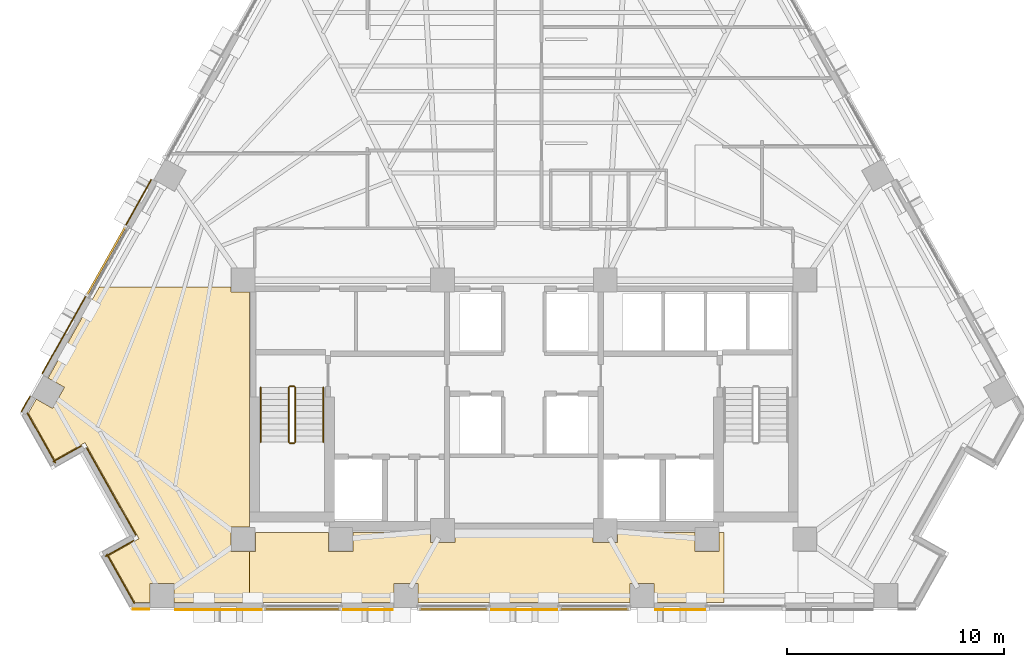
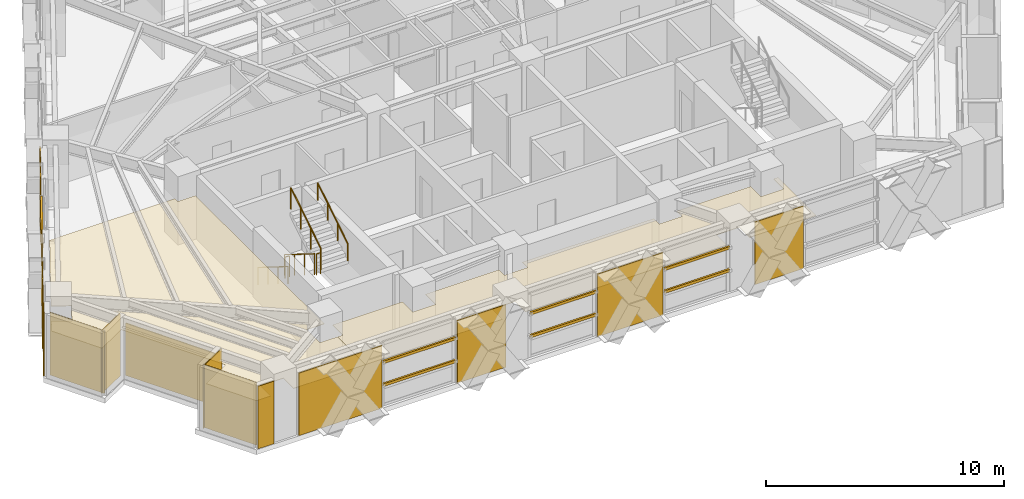
# One storey, part 11 of 14: 15 coverings, 8 shading devices, 6 railings.
"""IFC4 building model written with IfcOpenShell, lengths in metres."""

from ifc_helpers import new_model, si_unit, direction, frame, origin, origin_2d, place, context, subcontext, project, spatial, polyline, rectangle, circle, outline, extrude, material, layer, layer_set, material_profile, profile_set, type_object, element, save


model = new_model("IFC4")

# Units and contexts
model_context = context("Model", 3, precision=1e-05, world=origin(), true_north=direction((0.0, 1.0)))
body_context = subcontext(model_context, "Body", "Model", "MODEL_VIEW")
ifc_project = project(units=[si_unit("LENGTHUNIT", "METRE"), si_unit("AREAUNIT", "SQUARE_METRE"), si_unit("VOLUMEUNIT", "CUBIC_METRE"), si_unit("PLANEANGLEUNIT", "RADIAN"), si_unit("MASSUNIT", "GRAM", prefix="KILO")], contexts=[model_context])

# Site, building, storey
site_placement = place(None, origin())
site = spatial("IfcSite", under=ifc_project, at=site_placement, CompositionType="ELEMENT")
building_placement = place(site_placement, origin())
building = spatial("IfcBuilding", under=site, at=building_placement, Name="Quenlor Broadcast Tower", CompositionType="ELEMENT")
storey_placement = place(building_placement, frame((0.0, 0.0, 102.0)))
storey = spatial("IfcBuildingStorey", under=building, at=storey_placement, Name="L27", CompositionType="ELEMENT", Elevation=102.0)

# Coverings
ifc_material_1 = material(Name="Acoustic Mineral Fibre Board", Category="other")
ifc_layer_1 = layer(ifc_material_1, 0.02490234375)
ifc_layer_set_1 = layer_set([ifc_layer_1], Name="Acoustic Perforated Mineral Tile Ceiling 25")
covering_type_1 = type_object("IfcCoveringType", Name="Acoustic Perforated Mineral Tile Ceiling 25", PredefinedType="CEILING", material=ifc_layer_set_1)
covering_1_placement = place(storey_placement, frame((0.0, 0.0, 2.22509765625)))
element("IfcCovering", 1, at=covering_1_placement, inside=storey, type_object=covering_type_1, Name="L27 Acoustic Ceiling L27-35-2", PredefinedType="CEILING", context=body_context, shape_type="SweptSolid", body=[
    extrude(outline(polyline([(-22.85693359375, -10.927978515625), (-22.49853515625, -10.290771484375), (-21.741943359375, -10.71630859375), (-21.19482421875, -9.74365234375), (-21.951416015625, -9.318115234375), (-19.58984375, -5.1201171875), (-13.508056640625, -5.1201171875), (-13.508056640625, -5.35791015625), (-12.64990234375, -5.35791015625), (-12.64990234375, -16.19189453125), (-13.508056640625, -16.19189453125), (-13.508056640625, -17.30810546875), (-12.64990234375, -17.30810546875), (-12.64990234375, -19.659912109375), (-16.134521484375, -19.659912109375), (-16.134521484375, -18.7919921875), (-17.25048828125, -18.7919921875), (-17.25048828125, -19.659912109375), (-17.9453125, -19.659912109375), (-19.15380859375, -17.510986328125), (-17.759521484375, -16.7265625), (-20.25, -12.299072265625), (-21.64453125, -13.08349609375), (-22.85693359375, -10.927978515625)])), origin(), (0.0, 0.0, 1.0), 0.02490234375),
])
covering_2_placement = place(storey_placement, frame((0.0, 0.0, 2.22509765625)))
element("IfcCovering", 2, at=covering_2_placement, inside=storey, type_object=covering_type_1, Name="L27 Acoustic Ceiling L27-35-3", PredefinedType="CEILING", context=body_context, shape_type="SweptSolid", body=[
    extrude(outline(polyline([(-12.39208984375, -17.30810546875), (-12.39208984375, -16.449951171875), (-9.008056640625, -16.449951171875), (-9.008056640625, -17.30810546875), (-7.89208984375, -17.30810546875), (-7.89208984375, -16.449951171875), (-4.30810546875, -16.449951171875), (-4.30810546875, -16.907958984375), (-3.19189453125, -16.907958984375), (-3.19189453125, -16.449951171875), (3.19189453125, -16.449951171875), (3.19189453125, -16.907958984375), (4.30810546875, -16.907958984375), (4.30810546875, -16.449951171875), (7.89208984375, -16.449951171875), (7.89208984375, -17.30810546875), (9.008056640625, -17.30810546875), (9.008056640625, -16.449951171875), (9.221923828125, -16.449951171875), (9.221923828125, -19.659912109375), (6.001220703125, -19.659912109375), (6.001220703125, -18.7919921875), (4.88525390625, -18.7919921875), (4.88525390625, -19.659912109375), (-4.88525390625, -19.659912109375), (-4.88525390625, -18.7919921875), (-6.001220703125, -18.7919921875), (-6.001220703125, -19.659912109375), (-12.64990234375, -19.659912109375), (-12.64990234375, -17.30810546875), (-12.39208984375, -17.30810546875)])), origin(), (0.0, 0.0, 1.0), 0.02490234375),
])

# Shading devices
ifc_material_2 = material(Name="Architectural Terracotta Ceramic", Category="masonry")
ifc_material_profile = material_profile(ifc_material_2, rectangle(XDim=0.090087890625, YDim=0.139892578125, at=origin_2d()))
ifc_profile_set = profile_set([ifc_material_profile], Name="Architectural Terracotta Ceramic BAG90x140")
shading_device_type = type_object("IfcShadingDeviceType", Name="Copper Terracotta Baguette Solar Screen 140", PredefinedType="USERDEFINED", material=ifc_profile_set)
for number, where, z_axis, x_axis, name in (
    (3, (-8.47119140625, -19.972900390625, 1.169921875), (-1.0, 0.0, 0.0), (0.0, -1.0, 0.0), "L27 Terracotta Baguette Screen 1"),
    (4, (-8.47119140625, -19.972900390625, 2.340087890625), (-1.0, 0.0, 0.0), (0.0, -1.0, 0.0), "L27 Terracotta Baguette Screen 2"),
):
    element("IfcShadingDevice", number, at=place(storey_placement, frame(where, z_axis=z_axis, x_axis=x_axis)), inside=storey, type_object=shading_device_type, Name=name, ObjectType="BAGUETTE", PredefinedType="USERDEFINED", context=body_context, shape_type="SweptSolid", body=[
        extrude(rectangle(XDim=0.090087890625, YDim=0.139892578125, at=origin_2d()), origin(), (0.0, 0.0, 1.0), 3.510498046875),
    ])
for number, where, z_axis, x_axis, name in (
    (5, (4.835693359375, -19.972900390625, 1.169921875), (-1.0, 0.0, 0.0), (0.0, -1.0, 0.0), "L27 Terracotta Baguette Screen 1"),
    (6, (4.835693359375, -19.972900390625, 2.340087890625), (-1.0, 0.0, 0.0), (0.0, -1.0, 0.0), "L27 Terracotta Baguette Screen 2"),
    (7, (-1.653564453125, -19.972900390625, 1.169921875), (-1.0, 0.0, 0.0), (0.0, -1.0, 0.0), "L27 Terracotta Baguette Screen 1"),
    (8, (-1.653564453125, -19.972900390625, 2.340087890625), (-1.0, 0.0, 0.0), (0.0, -1.0, 0.0), "L27 Terracotta Baguette Screen 2"),
):
    element("IfcShadingDevice", number, at=place(storey_placement, frame(where, z_axis=z_axis, x_axis=x_axis)), inside=storey, type_object=shading_device_type, Name=name, ObjectType="BAGUETTE", PredefinedType="USERDEFINED", context=body_context, shape_type="SweptSolid", body=[
        extrude(rectangle(XDim=0.090087890625, YDim=0.139892578125, at=origin_2d()), origin(), (0.0, 0.0, 1.0), 3.18212890625),
    ])
for number, where, z_axis, x_axis, name in (
    (9, (-20.156005859375, -5.48779296875, 1.169921875), (0.490344725936, 0.871528570815, 0.0), (-0.871528570815, 0.490344725936, 0.0), "L27 Terracotta Baguette Screen 1"),
    (10, (-20.156005859375, -5.48779296875, 2.340087890625), (0.490344725936, 0.871528570815, 0.0), (-0.871528570815, 0.490344725936, 0.0), "L27 Terracotta Baguette Screen 2"),
):
    element("IfcShadingDevice", number, at=place(storey_placement, frame(where, z_axis=z_axis, x_axis=x_axis)), inside=storey, type_object=shading_device_type, Name=name, ObjectType="BAGUETTE", PredefinedType="USERDEFINED", context=body_context, shape_type="SweptSolid", body=[
        extrude(rectangle(XDim=0.090087890625, YDim=0.139892578125, at=origin_2d()), origin(), (0.0, 0.0, 1.0), 3.60986328125),
    ])

# Coverings
ifc_material_3 = material(Name="Architectural Terracotta Ceramic", Category="masonry")
ifc_layer_2 = layer(ifc_material_3, 0.044921875)
ifc_layer_set_2 = layer_set([ifc_layer_2], Name="Fluted Terracotta Rainscreen Cladding Panel")
covering_type_2 = type_object("IfcCoveringType", Name="Fluted Terracotta Rainscreen Cladding Panel", PredefinedType="CLADDING", material=ifc_layer_set_2)
covering_3_placement = place(storey_placement, frame((0.0, 0.0, 0.02001953125)))
element("IfcCovering", 11, at=covering_3_placement, inside=storey, type_object=covering_type_2, Name="L27 Terracotta Rainscreen Cladding L27-SHD-SS1", PredefinedType="CLADDING", context=body_context, shape_type="SweptSolid", body=[
    extrude(outline(polyline([(-17.277587890625, -19.951904296875), (-18.053955078125, -19.951904296875), (-18.053955078125, -19.9970703125), (-17.277587890625, -19.9970703125), (-17.277587890625, -19.951904296875)])), origin(), (0.0, 0.0, 1.0), 3.2099609375),
])
covering_4_placement = place(storey_placement, frame((0.0, 0.0, 0.02001953125)))
element("IfcCovering", 12, at=covering_4_placement, inside=storey, type_object=covering_type_2, Name="L27 Terracotta Rainscreen Cladding L27-SA-SP2", PredefinedType="CLADDING", context=body_context, shape_type="SweptSolid", body=[
    extrude(outline(polyline([(8.403564453125, -19.971923828125), (6.048095703125, -19.971923828125), (6.048095703125, -20.01708984375), (8.403564453125, -20.01708984375), (8.403564453125, -19.971923828125)])), origin(), (0.0, 0.0, 1.0), 3.2099609375),
])
covering_5_placement = place(storey_placement, frame((0.0, 0.0, 0.02001953125)))
element("IfcCovering", 13, at=covering_5_placement, inside=storey, type_object=covering_type_2, Name="L27 Terracotta Rainscreen Cladding L27-SC-SP1", PredefinedType="CLADDING", context=body_context, shape_type="SweptSolid", body=[
    extrude(outline(polyline([(-6.048095703125, -19.971923828125), (-8.403564453125, -19.971923828125), (-8.403564453125, -20.01708984375), (-6.048095703125, -20.01708984375), (-6.048095703125, -19.971923828125)])), origin(), (0.0, 0.0, 1.0), 3.2099609375),
])
covering_6_placement = place(storey_placement, frame((0.0, 0.0, 0.02001953125)))
element("IfcCovering", 14, at=covering_6_placement, inside=storey, type_object=covering_type_2, Name="L27 Terracotta Rainscreen Cladding L27-SC-SP2", PredefinedType="CLADDING", context=body_context, shape_type="SweptSolid", body=[
    extrude(outline(polyline([(-12.04931640625, -19.971923828125), (-16.08740234375, -19.971923828125), (-16.08740234375, -20.01708984375), (-12.04931640625, -20.01708984375), (-12.04931640625, -19.971923828125)])), origin(), (0.0, 0.0, 1.0), 3.2099609375),
])
covering_7_placement = place(storey_placement, frame((0.0, 0.0, 0.02001953125)))
element("IfcCovering", 15, at=covering_7_placement, inside=storey, type_object=covering_type_2, Name="L27 Terracotta Rainscreen Cladding L27-S-SP1", PredefinedType="CLADDING", context=body_context, shape_type="SweptSolid", body=[
    extrude(outline(polyline([(1.5859375, -19.971923828125), (-1.5859375, -19.971923828125), (-1.5859375, -20.01708984375), (1.5859375, -20.01708984375), (1.5859375, -19.971923828125)])), origin(), (0.0, 0.0, 1.0), 3.2099609375),
])
covering_8_placement = place(storey_placement, frame((0.0, 0.0, 0.02001953125)))
element("IfcCovering", 16, at=covering_8_placement, inside=storey, type_object=covering_type_2, Name="L27 Terracotta Rainscreen Cladding L27-SHD-NWS0", PredefinedType="CLADDING", context=body_context, shape_type="SweptSolid", body=[
    extrude(outline(polyline([(-23.160888671875, -10.873046875), (-22.76611328125, -10.171142578125), (-22.805419921875, -10.149169921875), (-23.2001953125, -10.85107421875), (-23.160888671875, -10.873046875)])), origin(), (0.0, 0.0, 1.0), 3.2099609375),
])
covering_9_placement = place(storey_placement, frame((0.0, 0.0, 0.02001953125)))
element("IfcCovering", 17, at=covering_9_placement, inside=storey, type_object=covering_type_2, Name="L27 Terracotta Rainscreen Cladding L27-NWA-SP1", PredefinedType="CLADDING", context=body_context, shape_type="SweptSolid", body=[
    extrude(outline(polyline([(-22.2001953125, -9.1240234375), (-20.188232421875, -5.547119140625), (-20.227294921875, -5.525146484375), (-22.239501953125, -9.10205078125), (-22.2001953125, -9.1240234375)])), origin(), (0.0, 0.0, 1.0), 3.2099609375),
])
covering_10_placement = place(storey_placement, frame((0.0, 0.0, 0.02001953125)))
element("IfcCovering", 18, at=covering_10_placement, inside=storey, type_object=covering_type_2, Name="L27 Terracotta Rainscreen Cladding L27-NWA-SP2", PredefinedType="CLADDING", context=body_context, shape_type="SweptSolid", body=[
    extrude(outline(polyline([(-18.35205078125, -2.283203125), (-17.168701171875, -0.179443359375), (-17.2080078125, -0.157470703125), (-18.391357421875, -2.26123046875), (-18.35205078125, -2.283203125)])), origin(), (0.0, 0.0, 1.0), 3.2099609375),
])
covering_11_placement = place(storey_placement, frame((0.0, 0.0, 0.02001953125)))
element("IfcCovering", 19, at=covering_11_placement, inside=storey, type_object=covering_type_2, Name="L27 Terracotta Rainscreen Cladding L27-CNR-12", PredefinedType="CLADDING", context=body_context, shape_type="SweptSolid", body=[
    extrude(outline(polyline([(-22.931396484375, -10.93408203125), (-21.630126953125, -13.24755859375), (-21.591064453125, -13.2255859375), (-22.892333984375, -10.912109375), (-22.931396484375, -10.93408203125)])), origin(), (0.0, 0.0, 1.0), 3.2099609375),
])
covering_12_placement = place(storey_placement, frame((0.0, 0.0, 0.02001953125)))
element("IfcCovering", 20, at=covering_12_placement, inside=storey, type_object=covering_type_2, Name="L27 Terracotta Rainscreen Cladding L27-CNR-13", PredefinedType="CLADDING", context=body_context, shape_type="SweptSolid", body=[
    extrude(outline(polyline([(-21.70703125, -13.19677734375), (-20.399658203125, -12.461181640625), (-20.421630859375, -12.422119140625), (-21.72900390625, -13.157470703125), (-21.70703125, -13.19677734375)])), origin(), (0.0, 0.0, 1.0), 3.2099609375),
])
covering_13_placement = place(storey_placement, frame((0.0, 0.0, 0.02001953125)))
element("IfcCovering", 21, at=covering_13_placement, inside=storey, type_object=covering_type_2, Name="L27 Terracotta Rainscreen Cladding L27-CNR-14", PredefinedType="CLADDING", context=body_context, shape_type="SweptSolid", body=[
    extrude(outline(polyline([(-20.186767578125, -12.55029296875), (-17.921630859375, -16.576904296875), (-17.88232421875, -16.554931640625), (-20.1474609375, -12.5283203125), (-20.186767578125, -12.55029296875)])), origin(), (0.0, 0.0, 1.0), 2.681884765625),
])
covering_14_placement = place(storey_placement, frame((0.0, 0.0, 0.02001953125)))
element("IfcCovering", 22, at=covering_14_placement, inside=storey, type_object=covering_type_2, Name="L27 Terracotta Rainscreen Cladding L27-CNR-15", PredefinedType="CLADDING", context=body_context, shape_type="SweptSolid", body=[
    extrude(outline(polyline([(-18.010498046875, -16.789794921875), (-19.31787109375, -17.525390625), (-19.2958984375, -17.564697265625), (-17.988525390625, -16.8291015625), (-18.010498046875, -16.789794921875)])), origin(), (0.0, 0.0, 1.0), 3.2099609375),
])
covering_15_placement = place(storey_placement, frame((0.0, 0.0, 0.02001953125)))
element("IfcCovering", 23, at=covering_15_placement, inside=storey, type_object=covering_type_2, Name="L27 Terracotta Rainscreen Cladding L27-CNR-16", PredefinedType="CLADDING", context=body_context, shape_type="SweptSolid", body=[
    extrude(outline(polyline([(-19.26708984375, -17.448486328125), (-17.987060546875, -19.72412109375), (-17.947998046875, -19.7021484375), (-19.227783203125, -17.426513671875), (-19.26708984375, -17.448486328125)])), origin(), (0.0, 0.0, 1.0), 3.2099609375),
])

# Railings
ifc_material_4 = material(Name="Anodised Aluminium", Category="aluminium")
railing_type_1 = type_object("IfcRailingType", Name="Stainless Aluminium Wall Handrail 900", PredefinedType="HANDRAIL", material=ifc_material_4)
railing_1_placement = place(storey_placement, frame((-12.14990234375, -9.75, 0.175048828125)))
element("IfcRailing", 24, at=railing_1_placement, inside=storey, type_object=railing_type_1, Name="L27 ST-1 stair handrail 1", PredefinedType="HANDRAIL", context=body_context, shape_type="SweptSolid", body=[
    extrude(circle(Radius=0.02392578125, at=origin_2d()), frame((0.0, 0.0, 0.8759765625), z_axis=(0.0, -0.848007534815, 0.529984170421), x_axis=(1.0, 0.0, 0.0)), (0.0, 0.0, 1.0), 2.9716796875),
    extrude(circle(Radius=0.02099609375, at=origin_2d()), origin(), (0.0, 0.0, 1.0), 0.851806640625),
    extrude(circle(Radius=0.02099609375, at=origin_2d()), frame((0.0, -0.840087890625, 0.52490234375)), (0.0, 0.0, 1.0), 0.851806640625),
    extrude(circle(Radius=0.02099609375, at=origin_2d()), frame((0.0, -1.679931640625, 1.050048828125)), (0.0, 0.0, 1.0), 0.851806640625),
    extrude(circle(Radius=0.02099609375, at=origin_2d()), frame((0.0, -2.52001953125, 1.574951171875)), (0.0, 0.0, 1.0), 0.851806640625),
])
railing_2_placement = place(storey_placement, frame((-9.25, -12.27001953125, 1.925048828125)))
element("IfcRailing", 25, at=railing_2_placement, inside=storey, type_object=railing_type_1, Name="L27 ST-1 stair handrail 2", PredefinedType="HANDRAIL", context=body_context, shape_type="SweptSolid", body=[
    extrude(circle(Radius=0.02392578125, at=origin_2d()), frame((0.0, 0.0, 0.8759765625), z_axis=(0.0, 0.848007534815, 0.529984170421), x_axis=(-1.0, 0.0, 0.0)), (0.0, 0.0, 1.0), 2.9716796875),
    extrude(circle(Radius=0.02099609375, at=origin_2d()), origin(), (0.0, 0.0, 1.0), 0.851806640625),
    extrude(circle(Radius=0.02099609375, at=origin_2d()), frame((0.0, 0.840087890625, 0.52490234375)), (0.0, 0.0, 1.0), 0.851806640625),
    extrude(circle(Radius=0.02099609375, at=origin_2d()), frame((0.0, 1.679931640625, 1.050048828125)), (0.0, 0.0, 1.0), 0.851806640625),
    extrude(circle(Radius=0.02099609375, at=origin_2d()), frame((0.0, 2.52001953125, 1.574951171875)), (0.0, 0.0, 1.0), 0.851806640625),
])
ifc_material_5 = material(Name="Steel S355", Category="steel")
railing_type_2 = type_object("IfcRailingType", Name="Tubular Steel S355 Stair Guardrail 1100", PredefinedType="BALUSTRADE", material=ifc_material_5)
railing_3_placement = place(storey_placement, frame((-10.85009765625, -9.75, 0.175048828125)))
element("IfcRailing", 26, at=railing_3_placement, inside=storey, type_object=railing_type_2, Name="L27 ST-1 stair guard 1", PredefinedType="BALUSTRADE", context=body_context, shape_type="SweptSolid", body=[
    extrude(circle(Radius=0.02392578125, at=origin_2d()), frame((0.0, 0.0, 1.076171875), z_axis=(0.0, -0.848007534815, 0.529984170421), x_axis=(1.0, 0.0, 0.0)), (0.0, 0.0, 1.0), 2.9716796875),
    extrude(circle(Radius=0.02099609375, at=origin_2d()), origin(), (0.0, 0.0, 1.0), 1.052001953125),
    extrude(circle(Radius=0.02099609375, at=origin_2d()), frame((0.0, -0.840087890625, 0.52490234375)), (0.0, 0.0, 1.0), 1.052001953125),
    extrude(circle(Radius=0.02099609375, at=origin_2d()), frame((0.0, -1.679931640625, 1.050048828125)), (0.0, 0.0, 1.0), 1.052001953125),
    extrude(circle(Radius=0.02099609375, at=origin_2d()), frame((0.0, -2.52001953125, 1.574951171875)), (0.0, 0.0, 1.0), 1.052001953125),
])
railing_4_placement = place(storey_placement, frame((-10.800048828125, -12.320068359375, 1.75)))
element("IfcRailing", 27, at=railing_4_placement, inside=storey, type_object=railing_type_2, Name="L27 ST-1 stair guard 2", PredefinedType="BALUSTRADE", context=body_context, shape_type="SweptSolid", body=[
    extrude(circle(Radius=0.02392578125, at=origin_2d()), frame((0.0, 0.0, 1.076171875), z_axis=(1.0, 0.0, 0.0), x_axis=(0.0, 1.0, 0.0)), (0.0, 0.0, 1.0), 0.199951171875),
    extrude(circle(Radius=0.02099609375, at=origin_2d()), origin(), (0.0, 0.0, 1.0), 1.052001953125),
    extrude(circle(Radius=0.02099609375, at=origin_2d()), frame((0.199951171875, 0.0, 0.0)), (0.0, 0.0, 1.0), 1.052001953125),
])
railing_5_placement = place(storey_placement, frame((-10.550048828125, -12.27001953125, 1.925048828125)))
element("IfcRailing", 28, at=railing_5_placement, inside=storey, type_object=railing_type_2, Name="L27 ST-1 stair guard 3", PredefinedType="BALUSTRADE", context=body_context, shape_type="SweptSolid", body=[
    extrude(circle(Radius=0.02392578125, at=origin_2d()), frame((0.0, 0.0, 1.076171875), z_axis=(0.0, 0.848007534815, 0.529984170421), x_axis=(-1.0, 0.0, 0.0)), (0.0, 0.0, 1.0), 2.9716796875),
    extrude(circle(Radius=0.02099609375, at=origin_2d()), origin(), (0.0, 0.0, 1.0), 1.052001953125),
    extrude(circle(Radius=0.02099609375, at=origin_2d()), frame((0.0, 0.840087890625, 0.52490234375)), (0.0, 0.0, 1.0), 1.052001953125),
    extrude(circle(Radius=0.02099609375, at=origin_2d()), frame((0.0, 1.679931640625, 1.050048828125)), (0.0, 0.0, 1.0), 1.052001953125),
    extrude(circle(Radius=0.02099609375, at=origin_2d()), frame((0.0, 2.52001953125, 1.574951171875)), (0.0, 0.0, 1.0), 1.052001953125),
])
railing_6_placement = place(storey_placement, frame((-10.800048828125, -9.699951171875, 0.0)))
element("IfcRailing", 29, at=railing_6_placement, inside=storey, type_object=railing_type_2, Name="L27 ST-1 stair guard 4", PredefinedType="BALUSTRADE", context=body_context, shape_type="SweptSolid", body=[
    extrude(circle(Radius=0.02392578125, at=origin_2d()), frame((0.0, 0.0, 1.076171875), z_axis=(1.0, 0.0, 0.0), x_axis=(0.0, 1.0, 0.0)), (0.0, 0.0, 1.0), 0.199951171875),
    extrude(circle(Radius=0.02099609375, at=origin_2d()), origin(), (0.0, 0.0, 1.0), 1.052001953125),
    extrude(circle(Radius=0.02099609375, at=origin_2d()), frame((0.199951171875, 0.0, 0.0)), (0.0, 0.0, 1.0), 1.052001953125),
])

save(model, "model.ifc")
